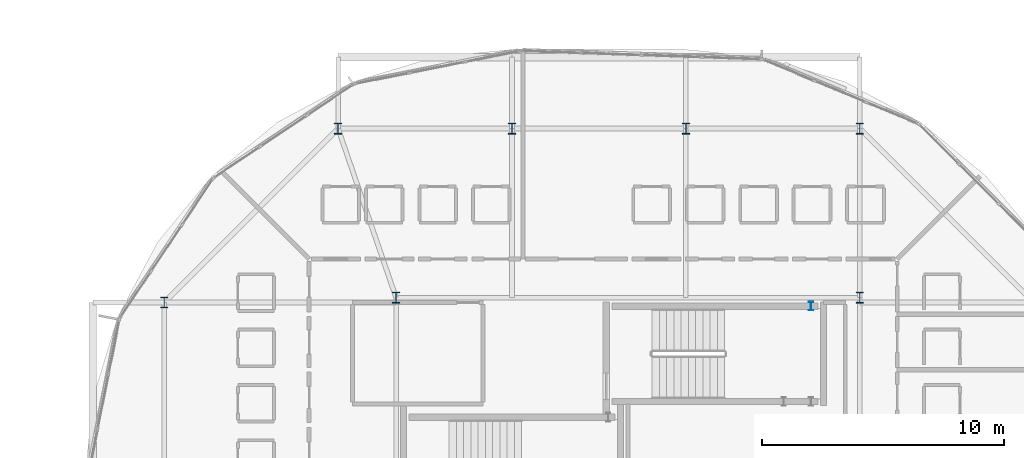
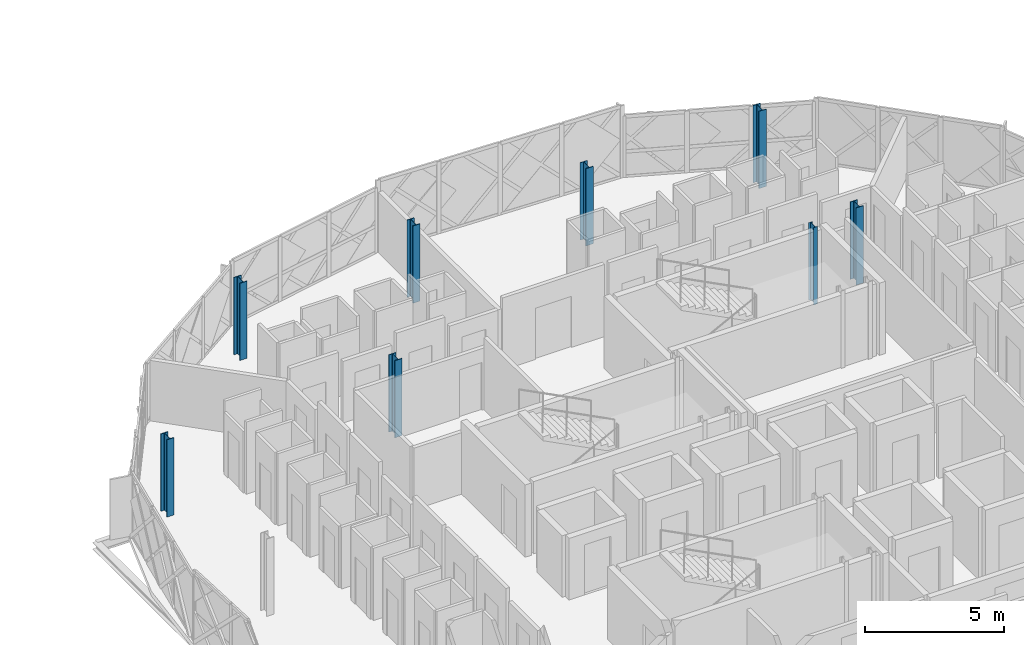
# One storey, part 3 of 25: 8 columns.
"""IFC4 building model written with IfcOpenShell, lengths in metres."""

from ifc_helpers import new_model, si_unit, direction, frame, origin, origin_2d, place, context, subcontext, project, spatial, i_section, extrude, material, material_profile, profile_set, type_object, element, save


model = new_model("IFC4")

# Units and contexts
model_context = context("Model", 3, precision=1e-05, world=origin(), true_north=direction((0.0, 1.0)))
body_context = subcontext(model_context, "Body", "Model", "MODEL_VIEW")
ifc_project = project(units=[si_unit("LENGTHUNIT", "METRE"), si_unit("AREAUNIT", "SQUARE_METRE"), si_unit("VOLUMEUNIT", "CUBIC_METRE"), si_unit("PLANEANGLEUNIT", "RADIAN"), si_unit("MASSUNIT", "GRAM", prefix="KILO")], contexts=[model_context])

# Site, building, storey
site_placement = place(None, origin())
site = spatial("IfcSite", under=ifc_project, at=site_placement, CompositionType="ELEMENT")
building_placement = place(site_placement, origin())
building = spatial("IfcBuilding", under=site, at=building_placement, Name="Zevrakil Square Congress Hotel", CompositionType="ELEMENT")
storey_placement = place(building_placement, frame((0.0, 0.0, 28.300048828125)))
storey = spatial("IfcBuildingStorey", under=building, at=storey_placement, Name="L08", CompositionType="ELEMENT", Elevation=28.300048828125)

# Columns
ifc_material_1 = material(Name="Steel S355", Category="steel")
ifc_material_profile_1 = material_profile(ifc_material_1, i_section(OverallWidth=0.300048828125, OverallDepth=0.449951171875, WebThickness=0.013916015625, FlangeThickness=0.02587890625, FilletRadius=0.027099609375, at=origin_2d()), Name="HEB 450")
ifc_profile_set_1 = profile_set([ifc_material_profile_1], Name="Steel S355")
column_type_1 = type_object("IfcColumnType", Name="COL-HEB450", PredefinedType="COLUMN", material=ifc_profile_set_1)
for number, where, z_axis, x_axis, name in (
    (1, (136.800048828125, 38.60009765625, 0.0), (0.0, 0.0, 1.0), (1.0, 0.0, 0.0), "L08 drum core collar column CC01"),
    (2, (156.0, 38.60009765625, 0.0), (0.0, 0.0, 1.0), (1.0, 0.0, 0.0), "L08 drum core collar column CC02"),
    (3, (156.0, 45.60009765625, 0.0), (0.0, 0.0, 1.0), (1.0, 0.0, 0.0), "L08 drum column DC09"),
    (4, (148.800048828125, 45.60009765625, 0.0), (0.0, 0.0, 1.0), (1.0, 0.0, 0.0), "L08 drum column DC10"),
    (5, (141.60009765625, 45.60009765625, 0.0), (0.0, 0.0, 1.0), (1.0, 0.0, 0.0), "L08 drum column DC11"),
    (6, (134.39990234375, 45.60009765625, 0.0), (0.0, 0.0, 1.0), (1.0, 0.0, 0.0), "L08 drum column DC12"),
    (7, (127.199951171875, 38.39990234375, 0.0), (0.0, 0.0, 1.0), (1.0, 0.0, 0.0), "L08 drum column DC13"),
):
    element("IfcColumn", number, at=place(storey_placement, frame(where, z_axis=z_axis, x_axis=x_axis)), inside=storey, type_object=column_type_1, Name=name, PredefinedType="COLUMN", context=body_context, shape_type="SweptSolid", body=[
        extrude(i_section(OverallWidth=0.300048828125, OverallDepth=0.449951171875, WebThickness=0.013916015625, FlangeThickness=0.02587890625, FilletRadius=0.027099609375, at=origin_2d()), origin(), (0.0, 0.0, 1.0), 3.39990234375),
    ])
ifc_material_2 = material(Name="Steel S355", Category="steel")
ifc_material_profile_2 = material_profile(ifc_material_2, i_section(OverallWidth=0.169921875, OverallDepth=0.360107421875, WebThickness=0.008056640625, FlangeThickness=0.0126953125, FilletRadius=0.01806640625, at=origin_2d()), Name="IPE 360")
ifc_profile_set_2 = profile_set([ifc_material_profile_2], Name="Steel S355")
column_type_2 = type_object("IfcColumnType", Name="COL-PILASTER-SHS180", PredefinedType="PILASTER", material=ifc_profile_set_2)
column_placement = place(storey_placement, frame((153.97998046875, 38.25, 0.0), z_axis=(0.0, 0.0, 1.0), x_axis=(1.0, 0.0, 0.0)))
element("IfcColumn", 8, at=column_placement, inside=storey, type_object=column_type_2, Name="L08 ST03 stair shaft post 3", PredefinedType="PILASTER", context=body_context, shape_type="SweptSolid", body=[
    extrude(i_section(OverallWidth=0.169921875, OverallDepth=0.360107421875, WebThickness=0.008056640625, FlangeThickness=0.0126953125, FilletRadius=0.01806640625, at=origin_2d()), origin(), (0.0, 0.0, 1.0), 3.39990234375),
])

save(model, "model.ifc")
